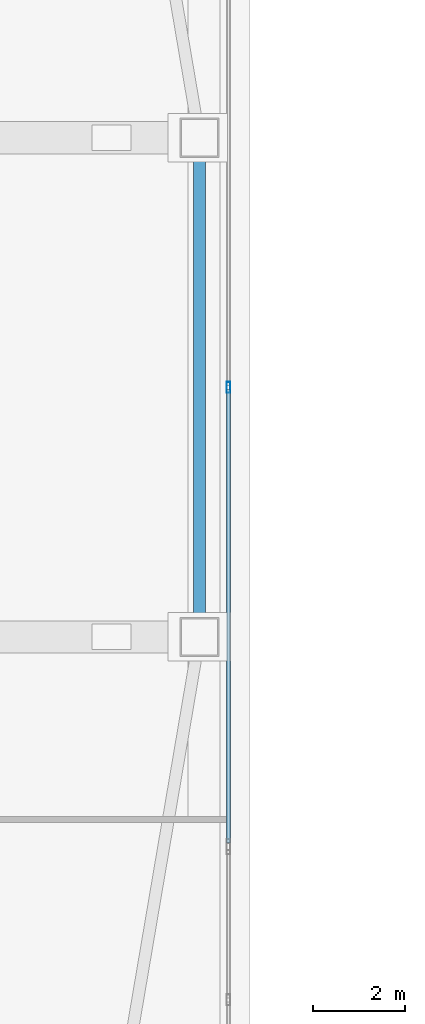
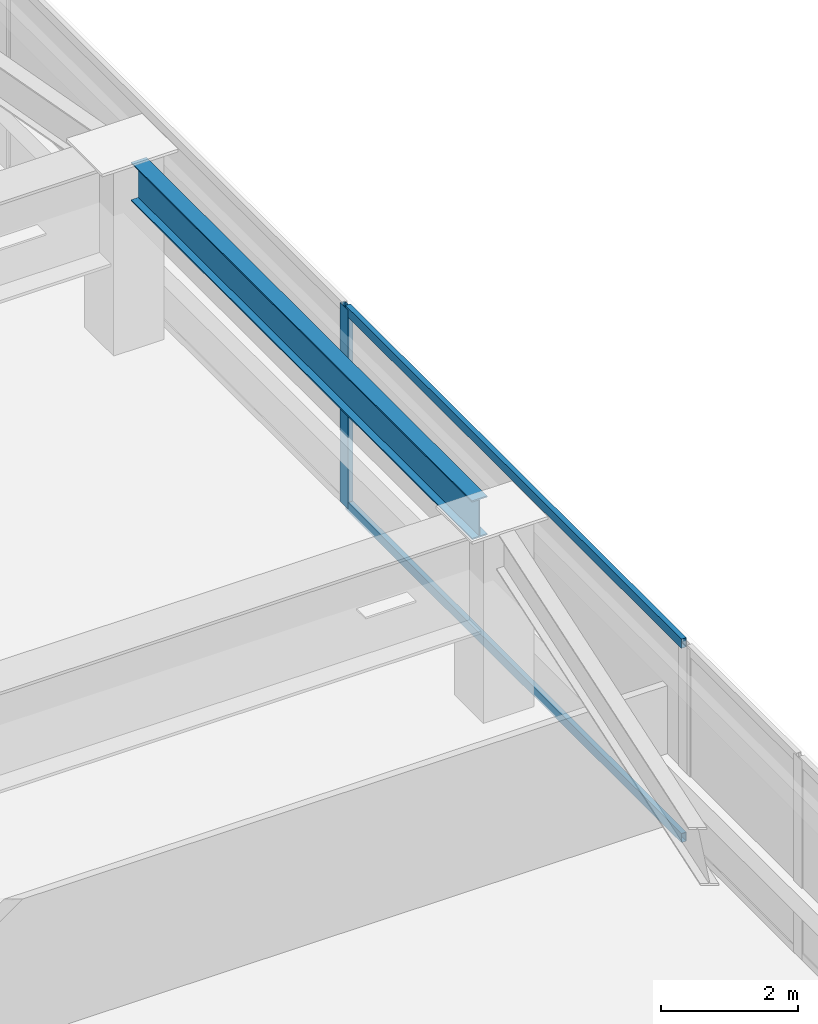
# One storey, part 11 of 48: 3 members, 1 beam, 1 element without a shape of its own.
"""IFC4 building model written with IfcOpenShell, lengths in metres."""

import ifcopenshell
import ifcopenshell.guid

model = None  # the IFC model being written
_history = None  # IfcOwnerHistory: only IFC2X3 demands one
_inside = {}  # id of a spatial element -> (the spatial element, [elements in it])
_under = {}  # id of a project, library or spatial element -> (it, [spatial elements below it])
_declared = {}  # id of a project -> (the project, [libraries it declares])
_typed = {}  # id of a type object -> (the type object, [elements of that type])
_made_of = {}  # id of a material, layer set ... -> (it, [elements and type objects made of it])


def new_model(schema):
    """Start an empty IFC model of exactly this schema.

    Asked for "IFC4X3", IfcOpenShell would pick the latest addendum, in which some entities
    have other attributes; the version numbers below select the first issue.
    IFC2X3 requires an IfcOwnerHistory on every rooted entity: one is made here for all.
    """
    global model, _history
    if schema == "IFC4X3":
        model = ifcopenshell.file(schema_version=(4, 3, 0, 0))
    else:
        model = ifcopenshell.file(schema=schema)
    _inside.clear()
    _under.clear()
    _declared.clear()
    _typed.clear()
    _made_of.clear()
    _history = None
    if model.schema == "IFC2X3":
        org = make("IfcOrganization", Name="unknown")
        user = make(
            "IfcPersonAndOrganization",
            ThePerson=make("IfcPerson", FamilyName="unknown"),
            TheOrganization=org,
        )
        app = make(
            "IfcApplication",
            ApplicationDeveloper=org,
            Version="unknown",
            ApplicationFullName="unknown",
            ApplicationIdentifier="unknown",
        )
        _history = make(
            "IfcOwnerHistory",
            OwningUser=user,
            OwningApplication=app,
            ChangeAction="ADDED",
            CreationDate=0,
        )
    return model


def make(cls, **values):
    """One entity of the class cls with the attributes given. An attribute that is None is left unset."""
    return model.create_entity(
        cls, **{name: value for name, value in values.items() if value is not None}
    )


def rooted(cls, **values):
    """An entity with a GlobalId (a new one), such as an element, a storey or a relation."""
    return make(cls, GlobalId=ifcopenshell.guid.new(), OwnerHistory=_history, **values)


def si_unit(unit_type, name, prefix=None):
    """IfcSIUnit, for example si_unit("LENGTHUNIT", "METRE", prefix="MILLI")."""
    return make("IfcSIUnit", UnitType=unit_type, Prefix=prefix, Name=name)


def assignment(units):
    """IfcUnitAssignment: the units of a project."""
    return None if units is None else make("IfcUnitAssignment", Units=units)


def point(xyz):
    """IfcCartesianPoint."""
    return None if xyz is None else make("IfcCartesianPoint", Coordinates=xyz)


def direction(xyz):
    """IfcDirection."""
    return None if xyz is None else make("IfcDirection", DirectionRatios=xyz)


def frame(location, z_axis=None, x_axis=None):
    """IfcAxis2Placement3D, a coordinate frame: its origin and axes. An axis left out is left unset."""
    return make(
        "IfcAxis2Placement3D",
        Location=point(location),
        Axis=direction(z_axis),
        RefDirection=direction(x_axis),
    )


def frame_2d(location, x_axis=None):
    """IfcAxis2Placement2D, a coordinate frame in the plane: its origin and x axis."""
    return make(
        "IfcAxis2Placement2D", Location=point(location), RefDirection=direction(x_axis)
    )


def origin():
    """The frame at (0, 0, 0) with its axes left unset."""
    return frame((0.0, 0.0, 0.0))


def origin_2d():
    """The frame at (0, 0) in the plane with its x axis left unset."""
    return frame_2d((0.0, 0.0))


def place(relative_to, where):
    """IfcLocalPlacement: puts the frame where relative to a parent placement (None: the world)."""
    return make(
        "IfcLocalPlacement", PlacementRelTo=relative_to, RelativePlacement=where
    )


def context(
    kind, dimensions, precision=None, world=None, true_north=None, identifier=None
):
    """IfcGeometricRepresentationContext, for example the 3D "Model" context."""
    return make(
        "IfcGeometricRepresentationContext",
        ContextIdentifier=identifier,
        ContextType=kind,
        CoordinateSpaceDimension=dimensions,
        Precision=precision,
        WorldCoordinateSystem=world,
        TrueNorth=true_north,
    )


def subcontext(parent, identifier, kind, view, scale=None):
    """IfcGeometricRepresentationSubContext, for example "Body" below "Model"."""
    return make(
        "IfcGeometricRepresentationSubContext",
        ContextIdentifier=identifier,
        ContextType=kind,
        ParentContext=parent,
        TargetScale=scale,
        TargetView=view,
    )


def project(units=None, contexts=None):
    """IfcProject with its units and contexts."""
    return rooted(
        "IfcProject",
        Name="project",
        RepresentationContexts=contexts,
        UnitsInContext=assignment(units),
    )


def spatial(cls, under=None, at=None, **own):
    """A site, building, storey or space (cls), placed at a placement, below another one or the project."""
    s = rooted(cls, ObjectPlacement=at, **own)
    if under is not None:
        _under.setdefault(under.id(), (under, []))[1].append(s)
    return s


def profile(cls, at=None, kind="AREA", **sizes):
    """A parametric profile (cls). Its sizes go by their IFC names, for example OverallWidth=200.0."""
    return make(cls, ProfileType=kind, Position=at, **sizes)


def hollow_rectangle(**sizes):
    """IfcRectangleHollowProfileDef."""
    return profile("IfcRectangleHollowProfileDef", **sizes)


def i_section(**sizes):
    """IfcIShapeProfileDef."""
    return profile("IfcIShapeProfileDef", **sizes)


def extrude(swept, where, along, depth):
    """IfcExtrudedAreaSolid: the profile swept, set in the frame where, extruded along a direction by depth."""
    return make(
        "IfcExtrudedAreaSolid",
        SweptArea=swept,
        Position=where,
        ExtrudedDirection=direction(along),
        Depth=depth,
    )


def shape(context_of_items, identifier, shape_type, items):
    """IfcShapeRepresentation: the items that make up one representation, for example the "Body"."""
    return make(
        "IfcShapeRepresentation",
        ContextOfItems=context_of_items,
        RepresentationIdentifier=identifier,
        RepresentationType=shape_type,
        Items=items,
    )


def material(Name=None, Category=None):
    """IfcMaterial."""
    return make("IfcMaterial", Name=Name, Category=Category)


def material_profile(
    of_material, cross_section, Name=None, Category=None, Priority=None
):
    """IfcMaterialProfile: a cross section and its material."""
    return make(
        "IfcMaterialProfile",
        Name=Name,
        Material=of_material,
        Profile=cross_section,
        Priority=Priority,
        Category=Category,
    )


def profile_set(profiles, Name=None, composite=None):
    """IfcMaterialProfileSet."""
    return make(
        "IfcMaterialProfileSet",
        Name=Name,
        MaterialProfiles=profiles,
        CompositeProfile=composite,
    )


def made_of(thing, what):
    """Note that an element or type object is made of a material, layer set ...; save() writes the relation."""
    if what is not None:
        _made_of.setdefault(what.id(), (what, []))[1].append(thing)
    return thing


def type_object(cls, material=None, **own):
    """A type object (cls), such as IfcWallType, which elements share."""
    return made_of(rooted(cls, **own), material)


def element(
    cls,
    number,
    at=None,
    inside=None,
    cuts=None,
    type_object=None,
    material=None,
    context=None,
    identifier="Body",
    shape_type=None,
    held_by="IfcProductDefinitionShape",
    body=None,
    shapes=None,
    **own,
):
    """One element of the class cls, such as IfcWall. Its Tag is "e" and its number.

    at: its placement. inside: the storey or other place that contains it. cuts: it is an
    opening in that element (IfcRelVoidsElement). A single representation is given by context,
    identifier, shape_type and body (its items); several are given by shapes. held_by: the class
    of the entity that holds the representations. save() writes the other relations.
    """
    e = rooted(cls, Tag="e%d" % number, ObjectPlacement=at, **own)
    if body is not None:
        shapes = [shape(context, identifier, shape_type, body)]
    if shapes is not None:
        e.Representation = make(held_by, Representations=shapes)
    if inside is not None:
        _inside.setdefault(inside.id(), (inside, []))[1].append(e)
    if cuts is not None:
        rooted(
            "IfcRelVoidsElement", RelatingBuildingElement=cuts, RelatedOpeningElement=e
        )
    if type_object is not None:
        _typed.setdefault(type_object.id(), (type_object, []))[1].append(e)
    return made_of(e, material)


def aggregate(whole, parts):
    """IfcRelAggregates: a whole, such as a stair, and the parts it consists of."""
    return rooted("IfcRelAggregates", RelatingObject=whole, RelatedObjects=parts)


def save(model, path):
    """Write the relations noted so far, then the file.

    IfcRelAggregates (storeys below a building ...), IfcRelContainedInSpatialStructure (elements
    in a storey), IfcRelDefinesByType, IfcRelAssociatesMaterial and IfcRelDeclares: one each for
    every whole, place, type object, material and project.
    """
    for whole, parts in _under.values():
        aggregate(whole, parts)
    for where, things in _inside.values():
        rooted(
            "IfcRelContainedInSpatialStructure",
            RelatedElements=things,
            RelatingStructure=where,
        )
    for kind, things in _typed.values():
        rooted("IfcRelDefinesByType", RelatedObjects=things, RelatingType=kind)
    for what, things in _made_of.values():
        rooted("IfcRelAssociatesMaterial", RelatedObjects=things, RelatingMaterial=what)
    for by, libraries in _declared.values():
        rooted("IfcRelDeclares", RelatingContext=by, RelatedDefinitions=libraries)
    model.write(path)


model = new_model("IFC4")

# Units and contexts
model_context = context("Model", 3, precision=1e-05, world=origin(), true_north=direction((0.0, 1.0)))
body_context = subcontext(model_context, "Body", "Model", "MODEL_VIEW")
ifc_project = project(units=[si_unit("LENGTHUNIT", "METRE"), si_unit("AREAUNIT", "SQUARE_METRE"), si_unit("VOLUMEUNIT", "CUBIC_METRE"), si_unit("PLANEANGLEUNIT", "RADIAN"), si_unit("MASSUNIT", "GRAM", prefix="KILO")], contexts=[model_context])

# Site, building, storey
site_placement = place(None, origin())
site = spatial("IfcSite", under=ifc_project, at=site_placement, CompositionType="ELEMENT")
building_placement = place(site_placement, origin())
building = spatial("IfcBuilding", under=site, at=building_placement, Name="Tashvorn Skyway Center", CompositionType="ELEMENT")
storey_placement = place(building_placement, frame((0.0, 0.0, 63.64990234375)))
storey = spatial("IfcBuildingStorey", under=building, at=storey_placement, Name="L16", CompositionType="ELEMENT", Elevation=63.64990234375)

# Beam
ifc_material_1 = material(Name="Steel ASTM A992 Grade 50", Category="steel")
ifc_material_profile_1 = material_profile(ifc_material_1, i_section(OverallWidth=0.256103515625, OverallDepth=0.693115234375, WebThickness=0.014404296875, FlangeThickness=0.023681640625, at=origin_2d()), Name="W27X114")
ifc_profile_set_1 = profile_set([ifc_material_profile_1], Name="Steel ASTM A992 Grade 50")
beam_type = type_object("IfcBeamType", Name="BM-SPANDREL-W27X114", PredefinedType="SPANDREL", material=ifc_profile_set_1)
beam_placement = place(storey_placement, frame((64.25, 27.02001953125, 3.003662109375), z_axis=(0.0, 1.0, 0.0), x_axis=(-1.0, 0.0, 0.0)))
element("IfcBeam", 1, at=beam_placement, inside=storey, type_object=beam_type, Name="Tower 1 L16 Spandrel Beam 05", PredefinedType="SPANDREL", context=body_context, shape_type="SweptSolid", body=[
    extrude(i_section(OverallWidth=0.256103515625, OverallDepth=0.693115234375, WebThickness=0.014404296875, FlangeThickness=0.023681640625, at=origin_2d()), origin(), (0.0, 0.0, 1.0), 9.9599609375),
])

# Curtain wall, members
ifc_material_2 = material(Name="Thermally broken bronze-anodized aluminium 6063-T6", Category="aluminium")
curtain_wall_type = type_object("IfcCurtainWallType", Name="CW-CW-Z1", PredefinedType="NOTDEFINED", material=ifc_material_2)
curtain_wall_placement = place(storey_placement, origin())
curtain_wall = element("IfcCurtainWall", 2, at=curtain_wall_placement, inside=storey, type_object=curtain_wall_type, Name="Tower 1 L16 East Unitised Curtain Wall Glazing Group 2", PredefinedType="NOTDEFINED")
ifc_material_profile_2 = material_profile(ifc_material_2, hollow_rectangle(XDim=0.0849609375, YDim=0.239990234375, WallThickness=0.0048828125, at=origin_2d()), Name="ALU-MULL-85x240")
ifc_profile_set_2 = profile_set([ifc_material_profile_2], Name="Thermally broken bronze-anodized aluminium 6063-T6")
member_type_1 = type_object("IfcMemberType", Name="CWM-CW-Z1", PredefinedType="MULLION", material=ifc_profile_set_2)
member_1_placement = place(storey_placement, frame((64.8798828125, 32.0, 0.0), z_axis=(0.0, 0.0, 1.0), x_axis=(1.0, 0.0, 0.0)))
member_1 = element("IfcMember", 3, at=member_1_placement, type_object=member_type_1, Name="CW-Z1 mullion 2", PredefinedType="MULLION", context=body_context, shape_type="SweptSolid", body=[
    extrude(hollow_rectangle(XDim=0.0849609375, YDim=0.239990234375, WallThickness=0.0048828125, at=origin_2d()), origin(), (0.0, 0.0, 1.0), 3.550048828125),
])
ifc_material_profile_3 = material_profile(ifc_material_2, hollow_rectangle(XDim=0.0849609375, YDim=0.1650390625, WallThickness=0.0048828125, at=origin_2d()), Name="ALU-TRAN-85x165")
ifc_profile_set_3 = profile_set([ifc_material_profile_3], Name="Thermally broken bronze-anodized aluminium 6063-T6")
member_type_2 = type_object("IfcMemberType", Name="CWT-CW-Z1", PredefinedType="USERDEFINED", material=ifc_profile_set_3)
member_2_placement = place(storey_placement, frame((64.8798828125, 31.95751953125, 0.04248046875), z_axis=(0.0, -1.0, 0.0), x_axis=(1.0, 0.0, 0.0)))
member_2 = element("IfcMember", 4, at=member_2_placement, type_object=member_type_2, Name="CW-Z1 transom 2.1", ObjectType="TRANSOM", PredefinedType="USERDEFINED", context=body_context, shape_type="SweptSolid", body=[
    extrude(hollow_rectangle(XDim=0.0849609375, YDim=0.1650390625, WallThickness=0.0048828125, at=origin_2d()), origin(), (0.0, 0.0, 1.0), 9.8125),
])
member_3_placement = place(storey_placement, frame((64.8798828125, 31.95751953125, 3.507568359375), z_axis=(0.0, -1.0, 0.0), x_axis=(1.0, 0.0, 0.0)))
member_3 = element("IfcMember", 5, at=member_3_placement, type_object=member_type_2, Name="CW-Z1 transom 2.2", ObjectType="TRANSOM", PredefinedType="USERDEFINED", context=body_context, shape_type="SweptSolid", body=[
    extrude(hollow_rectangle(XDim=0.0849609375, YDim=0.1650390625, WallThickness=0.0048828125, at=origin_2d()), origin(), (0.0, 0.0, 1.0), 9.8125),
])
aggregate(curtain_wall, [member_1, member_2, member_3])

save(model, "model.ifc")
